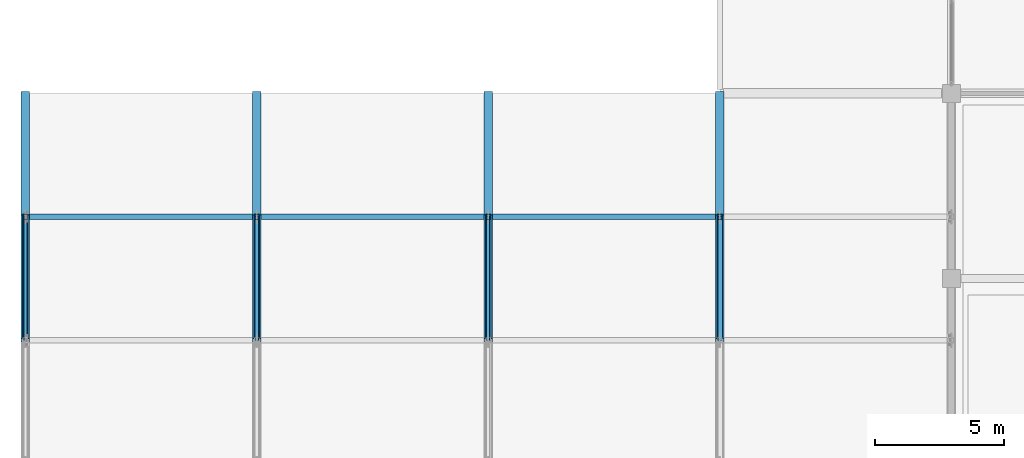
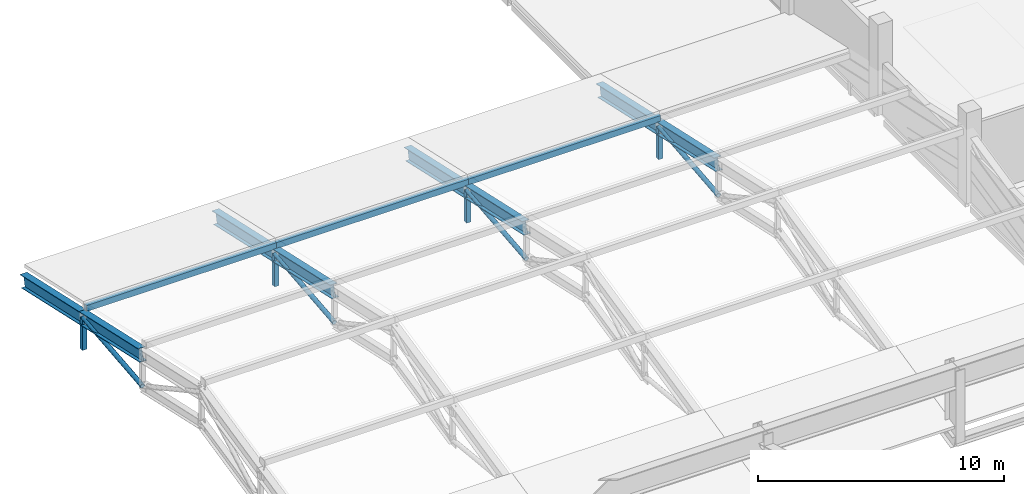
# One storey, part 65 of 151: 19 members.
"""IFC4 building model written with IfcOpenShell, lengths in metres."""

from ifc_helpers import new_model, si_unit, direction, frame, origin, origin_2d, place, context, subcontext, project, spatial, hollow_rectangle, hollow_circle, i_section, extrude, material, material_profile, profile_set, type_object, element, save


model = new_model("IFC4")

# Units and contexts
model_context = context("Model", 3, precision=1e-05, world=origin(), true_north=direction((0.0, 1.0)))
body_context = subcontext(model_context, "Body", "Model", "MODEL_VIEW")
ifc_project = project(units=[si_unit("LENGTHUNIT", "METRE"), si_unit("AREAUNIT", "SQUARE_METRE"), si_unit("VOLUMEUNIT", "CUBIC_METRE"), si_unit("PLANEANGLEUNIT", "RADIAN"), si_unit("MASSUNIT", "GRAM", prefix="KILO")], contexts=[model_context])

# Site, building, storey
site_placement = place(None, origin())
site = spatial("IfcSite", under=ifc_project, at=site_placement, CompositionType="ELEMENT")
building_placement = place(site_placement, origin())
building = spatial("IfcBuilding", under=site, at=building_placement, Name="Celestram Park Convention Centre", CompositionType="ELEMENT")
storey_placement = place(building_placement, frame((0.0, 0.0, 10.800048828125)))
storey = spatial("IfcBuildingStorey", under=building, at=storey_placement, Name="L02", CompositionType="ELEMENT", Elevation=10.800048828125)

# Members
ifc_material_1 = material(Name="Steel ASTM A500 Grade C", Category="steel")
ifc_material_profile_1 = material_profile(ifc_material_1, hollow_circle(Radius=0.109619140625, WallThickness=0.008056640625, at=origin_2d()), Name="CHS219X8")
ifc_profile_set_1 = profile_set([ifc_material_profile_1], Name="Steel ASTM A500 Grade C")
member_type_1 = type_object("IfcMemberType", Name="STR-BRC-CHS219", PredefinedType="BRACE", material=ifc_profile_set_1)
for number, where, z_axis, x_axis, name in (
    (1, (0.0, 127.199951171875, 0.34716796875), (0.0, 0.994967300399, 0.100200155373), (-1.0, 0.0, 0.0), "WPV arch web diagonal"),
    (2, (9.0, 127.199951171875, 0.34716796875), (0.0, 0.994967300399, 0.100200155373), (-1.0, 0.0, 0.0), "WPV arch web diagonal"),
    (3, (18.0, 127.199951171875, 0.34716796875), (0.0, 0.994967300399, 0.100200155373), (-1.0, 0.0, 0.0), "WPV arch web diagonal"),
    (4, (27.0, 127.199951171875, 0.34716796875), (0.0, 0.994967300399, 0.100200155373), (-1.0, 0.0, 0.0), "WPV arch web diagonal"),
):
    element("IfcMember", number, at=place(storey_placement, frame(where, z_axis=z_axis, x_axis=x_axis)), inside=storey, type_object=member_type_1, Name=name, PredefinedType="BRACE", context=body_context, shape_type="SweptSolid", body=[
        extrude(hollow_circle(Radius=0.109619140625, WallThickness=0.008056640625, at=origin_2d()), origin(), (0.0, 0.0, 1.0), 4.82421875),
    ])
ifc_material_2 = material(Name="Steel ASTM A992 Grade 50", Category="steel")
ifc_material_profile_2 = material_profile(ifc_material_2, i_section(OverallWidth=0.327880859375, OverallDepth=0.6220703125, WebThickness=0.015380859375, FlangeThickness=0.0244140625, at=origin_2d()), Name="W24X131")
ifc_profile_set_2 = profile_set([ifc_material_profile_2], Name="Steel ASTM A992 Grade 50")
member_type_2 = type_object("IfcMemberType", Name="STR-CHD-W24X131", PredefinedType="CHORD", material=ifc_profile_set_2)
for number, where, z_axis, x_axis, name in (
    (5, (0.0, 127.199951171875, 1.897216796875), (0.0, 0.976188228429, -0.216925200651), (-1.0, 0.0, 0.0), "WPV arch top chord"),
    (6, (0.0, 132.0, 0.83056640625), (0.0, 0.976188228429, -0.216925200651), (-1.0, 0.0, 0.0), "WPV arch top chord"),
    (7, (9.0, 127.199951171875, 1.897216796875), (0.0, 0.976188228429, -0.216925200651), (-1.0, 0.0, 0.0), "WPV arch top chord"),
    (8, (9.0, 132.0, 0.83056640625), (0.0, 0.976188228429, -0.216925200651), (-1.0, 0.0, 0.0), "WPV arch top chord"),
    (9, (18.0, 127.199951171875, 1.897216796875), (0.0, 0.976188228429, -0.216925200651), (-1.0, 0.0, 0.0), "WPV arch top chord"),
    (10, (18.0, 132.0, 0.83056640625), (0.0, 0.976188228429, -0.216925200651), (-1.0, 0.0, 0.0), "WPV arch top chord"),
    (11, (27.0, 127.199951171875, 1.897216796875), (0.0, 0.976188228429, -0.216925200651), (-1.0, 0.0, 0.0), "WPV arch top chord"),
    (12, (27.0, 132.0, 0.83056640625), (0.0, 0.976188228429, -0.216925200651), (-1.0, 0.0, 0.0), "WPV arch top chord"),
):
    element("IfcMember", number, at=place(storey_placement, frame(where, z_axis=z_axis, x_axis=x_axis)), inside=storey, type_object=member_type_2, Name=name, PredefinedType="CHORD", context=body_context, shape_type="SweptSolid", body=[
        extrude(i_section(OverallWidth=0.327880859375, OverallDepth=0.6220703125, WebThickness=0.015380859375, FlangeThickness=0.0244140625, at=origin_2d()), origin(), (0.0, 0.0, 1.0), 4.917236328125),
    ])
ifc_material_profile_3 = material_profile(ifc_material_1, hollow_rectangle(XDim=0.199951171875, YDim=0.300048828125, WallThickness=0.011962890625, at=origin_2d()), Name="HSS300X200X12")
ifc_profile_set_3 = profile_set([ifc_material_profile_3], Name="Steel ASTM A500 Grade C")
member_type_3 = type_object("IfcMemberType", Name="STR-RFT-HSS300X200", PredefinedType="RAFTER", material=ifc_profile_set_3)
member_placement = place(storey_placement, frame((0.080078125, 132.0, 1.291748046875), z_axis=(1.0, 0.0, 0.0), x_axis=(0.0, 1.0, 0.0)))
element("IfcMember", 13, at=member_placement, inside=storey, type_object=member_type_3, Name="WPV roof purlin", PredefinedType="RAFTER", context=body_context, shape_type="SweptSolid", body=[
    extrude(hollow_rectangle(XDim=0.199951171875, YDim=0.300048828125, WallThickness=0.011962890625, at=origin_2d()), origin(), (0.0, 0.0, 1.0), 8.919921875),
])
for number, where, z_axis, x_axis, name in (
    (14, (9.0, 132.0, 1.291748046875), (1.0, 0.0, 0.0), (0.0, 1.0, 0.0), "WPV roof purlin"),
    (15, (18.0, 132.0, 1.291748046875), (1.0, 0.0, 0.0), (0.0, 1.0, 0.0), "WPV roof purlin"),
):
    element("IfcMember", number, at=place(storey_placement, frame(where, z_axis=z_axis, x_axis=x_axis)), inside=storey, type_object=member_type_3, Name=name, PredefinedType="RAFTER", context=body_context, shape_type="SweptSolid", body=[
        extrude(hollow_rectangle(XDim=0.199951171875, YDim=0.300048828125, WallThickness=0.011962890625, at=origin_2d()), origin(), (0.0, 0.0, 1.0), 9.0),
    ])
ifc_material_profile_4 = material_profile(ifc_material_1, hollow_rectangle(XDim=0.199951171875, YDim=0.199951171875, WallThickness=0.010009765625, at=origin_2d()), Name="HSS200X200X10")
ifc_profile_set_4 = profile_set([ifc_material_profile_4], Name="Steel ASTM A500 Grade C")
member_type_4 = type_object("IfcMemberType", Name="STR-STR-HSS200", PredefinedType="STRUT", material=ifc_profile_set_4)
for number, where, z_axis, x_axis, name in (
    (16, (0.0, 132.0, -0.71923828125), (0.0, 0.0, 1.0), (1.0, 0.0, 0.0), "WPV arch vertical strut"),
    (17, (9.0, 132.0, -0.71923828125), (0.0, 0.0, 1.0), (1.0, 0.0, 0.0), "WPV arch vertical strut"),
    (18, (18.0, 132.0, -0.71923828125), (0.0, 0.0, 1.0), (1.0, 0.0, 0.0), "WPV arch vertical strut"),
    (19, (27.0, 132.0, -0.71923828125), (0.0, 0.0, 1.0), (1.0, 0.0, 0.0), "WPV arch vertical strut"),
):
    element("IfcMember", number, at=place(storey_placement, frame(where, z_axis=z_axis, x_axis=x_axis)), inside=storey, type_object=member_type_4, Name=name, PredefinedType="STRUT", context=body_context, shape_type="SweptSolid", body=[
        extrude(hollow_rectangle(XDim=0.199951171875, YDim=0.199951171875, WallThickness=0.010009765625, at=origin_2d()), origin(), (0.0, 0.0, 1.0), 1.5498046875),
    ])

save(model, "model.ifc")
